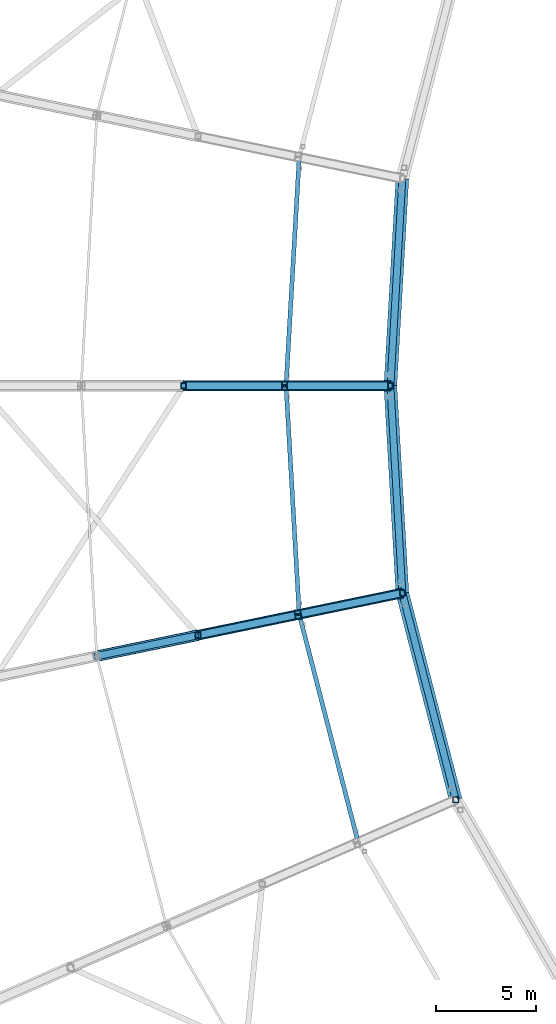
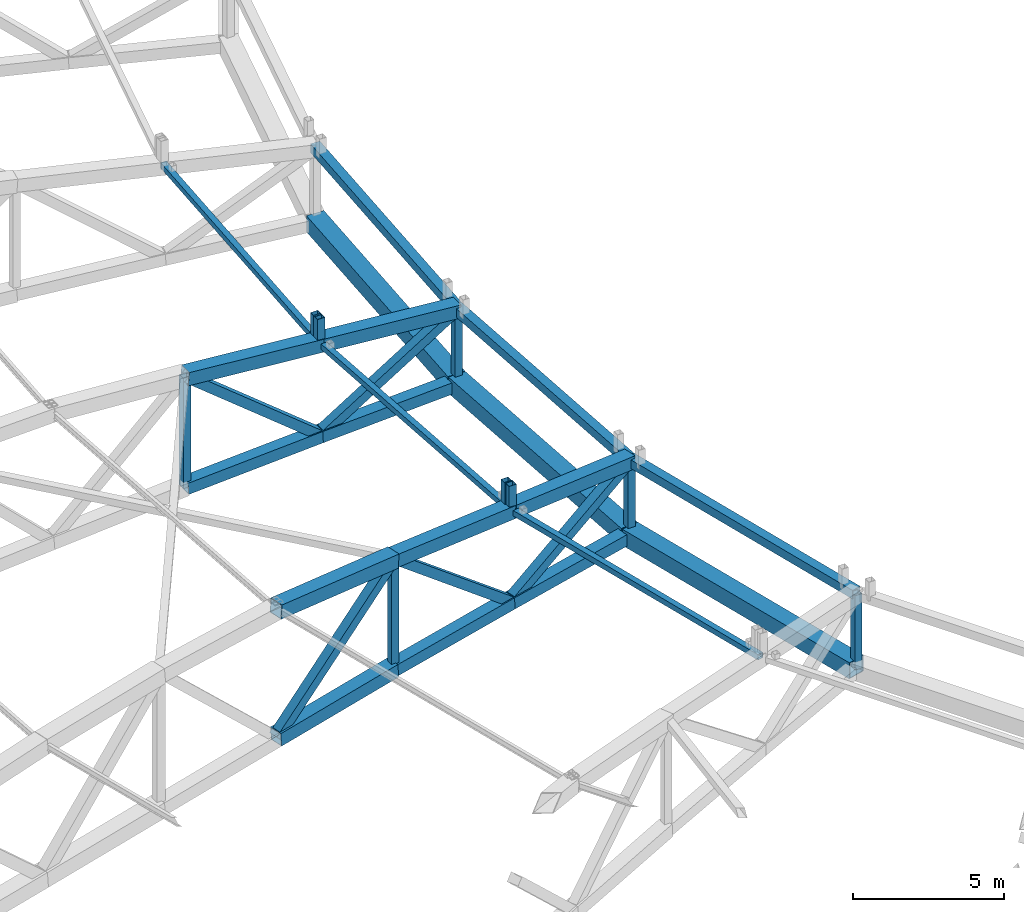
# One storey, part 40 of 162: 33 members.
"""IFC4 building model written with IfcOpenShell, lengths in metres."""

from ifc_helpers import new_model, si_unit, direction, frame, origin, origin_2d, place, context, subcontext, project, spatial, hollow_rectangle, extrude, material, material_profile, profile_set, type_object, element, save


model = new_model("IFC4")

# Units and contexts
model_context = context("Model", 3, precision=1e-05, world=origin(), true_north=direction((0.0, 1.0)))
body_context = subcontext(model_context, "Body", "Model", "MODEL_VIEW")
ifc_project = project(units=[si_unit("LENGTHUNIT", "METRE"), si_unit("AREAUNIT", "SQUARE_METRE"), si_unit("VOLUMEUNIT", "CUBIC_METRE"), si_unit("PLANEANGLEUNIT", "RADIAN"), si_unit("MASSUNIT", "GRAM", prefix="KILO")], contexts=[model_context])

# Site, building, storey
site_placement = place(None, origin())
site = spatial("IfcSite", under=ifc_project, at=site_placement, CompositionType="ELEMENT")
building_placement = place(site_placement, origin())
building = spatial("IfcBuilding", under=site, at=building_placement, Name="Kazemori Nagisa Stadium", CompositionType="ELEMENT")
storey_placement = place(building_placement, frame((0.0, 0.0, 36.719970703125)))
storey = spatial("IfcBuildingStorey", under=building, at=storey_placement, Name="RF", CompositionType="ELEMENT", Elevation=36.719970703125)

# Members
ifc_material = material(Name="Steel STKR490", Category="steel")
ifc_material_profile_1 = material_profile(ifc_material, hollow_rectangle(XDim=0.280029296875, YDim=0.280029296875, WallThickness=0.010009765625, at=origin_2d()), Name="SHS-280x280x10")
ifc_profile_set_1 = profile_set([ifc_material_profile_1], Name="Steel STKR490")
member_type_1 = type_object("IfcMemberType", Name="Member_ST-SHS280", PredefinedType="STUD", material=ifc_profile_set_1)
member_1_placement = place(storey_placement, frame((66.877197265625, 102.095458984375, 6.030029296875), z_axis=(0.0, 0.0, 1.0), x_axis=(1.0, 0.0, 0.0)))
element("IfcMember", 1, at=member_1_placement, inside=storey, type_object=member_type_1, Name="Canopy bearing stool B14-inner-3", PredefinedType="STUD", context=body_context, shape_type="SweptSolid", body=[
    extrude(hollow_rectangle(XDim=0.280029296875, YDim=0.280029296875, WallThickness=0.010009765625, at=origin_2d()), origin(), (0.0, 0.0, 1.0), 1.114990234375),
])
member_2_placement = place(storey_placement, frame((67.523681640625, 90.638427734375, 6.013916015625), z_axis=(0.0, 0.0, 1.0), x_axis=(1.0, 0.0, 0.0)))
element("IfcMember", 2, at=member_2_placement, inside=storey, type_object=member_type_1, Name="Canopy bearing stool B15-inner-3", PredefinedType="STUD", context=body_context, shape_type="SweptSolid", body=[
    extrude(hollow_rectangle(XDim=0.280029296875, YDim=0.280029296875, WallThickness=0.010009765625, at=origin_2d()), origin(), (0.0, 0.0, 1.0), 1.131103515625),
])
member_3_placement = place(storey_placement, frame((66.877197265625, 101.904541015625, 6.030029296875), z_axis=(0.0, 0.0, 1.0), x_axis=(1.0, 0.0, 0.0)))
element("IfcMember", 3, at=member_3_placement, inside=storey, type_object=member_type_1, Name="Canopy bearing stool B15-inner-4", PredefinedType="STUD", context=body_context, shape_type="SweptSolid", body=[
    extrude(hollow_rectangle(XDim=0.280029296875, YDim=0.280029296875, WallThickness=0.010009765625, at=origin_2d()), origin(), (0.0, 0.0, 1.0), 1.114990234375),
])
member_4_placement = place(storey_placement, frame((67.558837890625, 90.447021484375, 6.013916015625), z_axis=(0.0, 0.0, 1.0), x_axis=(1.0, 0.0, 0.0)))
element("IfcMember", 4, at=member_4_placement, inside=storey, type_object=member_type_1, Name="Canopy bearing stool B16-inner-4", PredefinedType="STUD", context=body_context, shape_type="SweptSolid", body=[
    extrude(hollow_rectangle(XDim=0.280029296875, YDim=0.280029296875, WallThickness=0.010009765625, at=origin_2d()), origin(), (0.0, 0.0, 1.0), 1.113037109375),
])
ifc_material_profile_2 = material_profile(ifc_material, hollow_rectangle(XDim=0.360107421875, YDim=0.360107421875, WallThickness=0.013916015625, at=origin_2d()), Name="SHS-360x360x14")
ifc_profile_set_2 = profile_set([ifc_material_profile_2], Name="Steel STKR490")
member_type_2 = type_object("IfcMemberType", Name="Member_TB-SHS360", PredefinedType="BRACE", material=ifc_profile_set_2)
member_5_placement = place(storey_placement, frame((61.820068359375, 102.0, 6.47998046875), z_axis=(0.777456794474, 0.0, -0.628936350298), x_axis=(0.0, 1.0, 0.0)))
element("IfcMember", 5, at=member_5_placement, inside=storey, type_object=member_type_2, Name="Roof space truss diagonal RT-15-8", PredefinedType="BRACE", context=body_context, shape_type="SweptSolid", body=[
    extrude(hollow_rectangle(XDim=0.360107421875, YDim=0.360107421875, WallThickness=0.013916015625, at=origin_2d()), origin(), (0.0, 0.0, 1.0), 6.598388671875),
])
member_6_placement = place(storey_placement, frame((66.949951171875, 102.0, 2.330078125), z_axis=(0.849142017876, 0.0, 0.528164589383), x_axis=(0.0, 1.0, 0.0)))
element("IfcMember", 6, at=member_6_placement, inside=storey, type_object=member_type_2, Name="Roof space truss diagonal RT-15-9", PredefinedType="BRACE", context=body_context, shape_type="SweptSolid", body=[
    extrude(hollow_rectangle(XDim=0.360107421875, YDim=0.360107421875, WallThickness=0.013916015625, at=origin_2d()), origin(), (0.0, 0.0, 1.0), 6.1533203125),
])
member_7_placement = place(storey_placement, frame((57.47119140625, 88.46044921875, 1.652099609375), z_axis=(0.717435435757, 0.148220468066, 0.680673995659), x_axis=(-0.20232488246, 0.979318457876, 0.0)))
element("IfcMember", 7, at=member_7_placement, inside=storey, type_object=member_type_2, Name="Roof space truss diagonal RT-16-7", PredefinedType="BRACE", context=body_context, shape_type="SweptSolid", body=[
    extrude(hollow_rectangle(XDim=0.360107421875, YDim=0.360107421875, WallThickness=0.013916015625, at=origin_2d()), origin(), (0.0, 0.0, 1.0), 7.066162109375),
])
member_8_placement = place(storey_placement, frame((62.540771484375, 89.5078125, 6.4619140625), z_axis=(0.764535654953, 0.157988080684, -0.624919993813), x_axis=(-0.202370113198, 0.979309112224, 0.0)))
element("IfcMember", 8, at=member_8_placement, inside=storey, type_object=member_type_2, Name="Roof space truss diagonal RT-16-8", PredefinedType="BRACE", context=body_context, shape_type="SweptSolid", body=[
    extrude(hollow_rectangle(XDim=0.360107421875, YDim=0.360107421875, WallThickness=0.013916015625, at=origin_2d()), origin(), (0.0, 0.0, 1.0), 6.630859375),
])
member_9_placement = place(storey_placement, frame((67.6103515625, 90.555419921875, 2.318115234375), z_axis=(0.83387920966, 0.1723037565, 0.524363308396), x_axis=(-0.202354481803, 0.979312342256, 0.0)))
element("IfcMember", 9, at=member_9_placement, inside=storey, type_object=member_type_2, Name="Roof space truss diagonal RT-16-9", PredefinedType="BRACE", context=body_context, shape_type="SweptSolid", body=[
    extrude(hollow_rectangle(XDim=0.360107421875, YDim=0.360107421875, WallThickness=0.013916015625, at=origin_2d()), origin(), (0.0, 0.0, 1.0), 6.19189453125),
])
ifc_material_profile_3 = material_profile(ifc_material, hollow_rectangle(XDim=0.35009765625, YDim=0.35009765625, WallThickness=0.01611328125, at=origin_2d()), Name="SHS-350x350x16")
ifc_profile_set_3 = profile_set([ifc_material_profile_3], Name="Steel STKR490")
member_type_3 = type_object("IfcMemberType", Name="Member_TC-SHS350", PredefinedType="CHORD", material=ifc_profile_set_3)
for number, where, z_axis, x_axis, name in (
    (10, (72.773681640625, 112.377685546875, 5.56494140625), (-0.057588821234, -0.998339324711, 0.001456161059), (0.998340383154, -0.05758888229, 0.0), "Roof tension ring beam upper TR-14"),
    (11, (72.175048828125, 102.0, 5.580078125), (0.057588821234, -0.998339324711, -0.001456161059), (0.998340383154, 0.05758888229, 0.0), "Roof tension ring beam upper TR-15"),
):
    element("IfcMember", number, at=place(storey_placement, frame(where, z_axis=z_axis, x_axis=x_axis)), inside=storey, type_object=member_type_3, Name=name, PredefinedType="CHORD", context=body_context, shape_type="SweptSolid", body=[
        extrude(hollow_rectangle(XDim=0.35009765625, YDim=0.35009765625, WallThickness=0.01611328125, at=origin_2d()), origin(), (0.0, 0.0, 1.0), 10.39501953125),
    ])
member_10_placement = place(storey_placement, frame((72.773681640625, 91.622314453125, 5.56494140625), z_axis=(0.249967058277, -0.968245619322, -0.004109798181), x_axis=(0.968253796473, 0.24996916933, 0.0)))
element("IfcMember", 12, at=member_10_placement, inside=storey, type_object=member_type_3, Name="Roof tension ring beam upper TR-16", PredefinedType="CHORD", context=body_context, shape_type="SweptSolid", body=[
    extrude(hollow_rectangle(XDim=0.35009765625, YDim=0.35009765625, WallThickness=0.01611328125, at=origin_2d()), origin(), (0.0, 0.0, 1.0), 10.69287109375),
])
ifc_material_profile_4 = material_profile(ifc_material, hollow_rectangle(XDim=0.4599609375, YDim=0.4599609375, WallThickness=0.01611328125, at=origin_2d()), Name="SHS-460x460x16")
ifc_profile_set_4 = profile_set([ifc_material_profile_4], Name="Steel STKR490")
member_type_4 = type_object("IfcMemberType", Name="Member_TC-SHS460", PredefinedType="CHORD", material=ifc_profile_set_4)
member_11_placement = place(storey_placement, frame((61.820068359375, 102.0, 2.0400390625), z_axis=(0.998405485764, 0.0, 0.05644896807), x_axis=(0.0, 1.0, 0.0)))
element("IfcMember", 13, at=member_11_placement, inside=storey, type_object=member_type_4, Name="Roof space truss bottom chord RT-15-8", PredefinedType="CHORD", context=body_context, shape_type="SweptSolid", body=[
    extrude(hollow_rectangle(XDim=0.4599609375, YDim=0.4599609375, WallThickness=0.01611328125, at=origin_2d()), origin(), (0.0, 0.0, 1.0), 5.13818359375),
])
member_12_placement = place(storey_placement, frame((66.949951171875, 102.0, 2.330078125), z_axis=(0.998857341837, 0.0, 0.047791324084), x_axis=(0.0, 1.0, 0.0)))
element("IfcMember", 14, at=member_12_placement, inside=storey, type_object=member_type_4, Name="Roof space truss bottom chord RT-15-9", PredefinedType="CHORD", context=body_context, shape_type="SweptSolid", body=[
    extrude(hollow_rectangle(XDim=0.4599609375, YDim=0.4599609375, WallThickness=0.01611328125, at=origin_2d()), origin(), (0.0, 0.0, 1.0), 5.23095703125),
])
member_13_placement = place(storey_placement, frame((62.540771484375, 89.5078125, 2.030029296875), z_axis=(0.977796170466, 0.202057470141, 0.055564627072), x_axis=(-0.202370113198, 0.979309112224, 0.0)))
element("IfcMember", 15, at=member_13_placement, inside=storey, type_object=member_type_4, Name="Roof space truss bottom chord RT-16-8", PredefinedType="CHORD", context=body_context, shape_type="SweptSolid", body=[
    extrude(hollow_rectangle(XDim=0.4599609375, YDim=0.4599609375, WallThickness=0.01611328125, at=origin_2d()), origin(), (0.0, 0.0, 1.0), 5.184814453125),
])
member_14_placement = place(storey_placement, frame((67.6103515625, 90.555419921875, 2.318115234375), z_axis=(0.978232482615, 0.202131351318, 0.04694812851), x_axis=(-0.202354481803, 0.979312342256, 0.0)))
element("IfcMember", 16, at=member_14_placement, inside=storey, type_object=member_type_4, Name="Roof space truss bottom chord RT-16-9", PredefinedType="CHORD", context=body_context, shape_type="SweptSolid", body=[
    extrude(hollow_rectangle(XDim=0.4599609375, YDim=0.4599609375, WallThickness=0.01611328125, at=origin_2d()), origin(), (0.0, 0.0, 1.0), 5.2783203125),
])
ifc_material_profile_5 = material_profile(ifc_material, hollow_rectangle(XDim=0.52001953125, YDim=0.52001953125, WallThickness=0.01904296875, at=origin_2d()), Name="SHS-520x520x19")
ifc_profile_set_5 = profile_set([ifc_material_profile_5], Name="Steel STKR490")
member_type_5 = type_object("IfcMemberType", Name="Member_TC-SHS520", PredefinedType="CHORD", material=ifc_profile_set_5)
member_15_placement = place(storey_placement, frame((61.820068359375, 102.0, 6.47998046875), z_axis=(0.996175375553, 0.0, -0.08737631911), x_axis=(0.0, 1.0, 0.0)))
element("IfcMember", 17, at=member_15_placement, inside=storey, type_object=member_type_5, Name="Roof space truss top chord RT-15-8", PredefinedType="CHORD", context=body_context, shape_type="SweptSolid", body=[
    extrude(hollow_rectangle(XDim=0.52001953125, YDim=0.52001953125, WallThickness=0.01904296875, at=origin_2d()), origin(), (0.0, 0.0, 1.0), 5.149658203125),
])
member_16_placement = place(storey_placement, frame((66.949951171875, 102.0, 6.030029296875), z_axis=(0.996312731742, 0.0, -0.08579592396), x_axis=(0.0, 1.0, 0.0)))
element("IfcMember", 18, at=member_16_placement, inside=storey, type_object=member_type_5, Name="Roof space truss top chord RT-15-9", PredefinedType="CHORD", context=body_context, shape_type="SweptSolid", body=[
    extrude(hollow_rectangle(XDim=0.52001953125, YDim=0.52001953125, WallThickness=0.01904296875, at=origin_2d()), origin(), (0.0, 0.0, 1.0), 5.244384765625),
])
member_17_placement = place(storey_placement, frame((57.47119140625, 88.46044921875, 1.652099609375), z_axis=(0.976718968745, 0.20178783414, 0.072812952739), x_axis=(-0.20232488246, 0.979318457876, 0.0)))
element("IfcMember", 19, at=member_17_placement, inside=storey, type_object=member_type_5, Name="Roof space truss bottom chord RT-16-7", PredefinedType="CHORD", context=body_context, shape_type="SweptSolid", body=[
    extrude(hollow_rectangle(XDim=0.52001953125, YDim=0.52001953125, WallThickness=0.01904296875, at=origin_2d()), origin(), (0.0, 0.0, 1.0), 5.1904296875),
])
member_18_placement = place(storey_placement, frame((62.540771484375, 89.5078125, 6.4619140625), z_axis=(0.975662357679, 0.201616526694, -0.086219139241), x_axis=(-0.202370113198, 0.979309112224, 0.0)))
element("IfcMember", 20, at=member_18_placement, inside=storey, type_object=member_type_5, Name="Roof space truss top chord RT-16-8", PredefinedType="CHORD", context=body_context, shape_type="SweptSolid", body=[
    extrude(hollow_rectangle(XDim=0.52001953125, YDim=0.52001953125, WallThickness=0.01904296875, at=origin_2d()), origin(), (0.0, 0.0, 1.0), 5.196044921875),
])
member_19_placement = place(storey_placement, frame((67.6103515625, 90.555419921875, 6.013916015625), z_axis=(0.975780808756, 0.20162476402, -0.084848499092), x_axis=(-0.202354481803, 0.979312342256, 0.0)))
element("IfcMember", 21, at=member_19_placement, inside=storey, type_object=member_type_5, Name="Roof space truss top chord RT-16-9", PredefinedType="CHORD", context=body_context, shape_type="SweptSolid", body=[
    extrude(hollow_rectangle(XDim=0.52001953125, YDim=0.52001953125, WallThickness=0.01904296875, at=origin_2d()), origin(), (0.0, 0.0, 1.0), 5.29150390625),
])
ifc_material_profile_6 = material_profile(ifc_material, hollow_rectangle(XDim=0.56005859375, YDim=0.56005859375, WallThickness=0.02001953125, at=origin_2d()), Name="SHS-560x560x20")
ifc_profile_set_6 = profile_set([ifc_material_profile_6], Name="Steel STKR490")
member_type_6 = type_object("IfcMemberType", Name="Member_TC-SHS560", PredefinedType="CHORD", material=ifc_profile_set_6)
member_20_placement = place(storey_placement, frame((57.47119140625, 88.46044921875, 6.81201171875), z_axis=(0.977086481619, 0.201863761432, -0.067476138437), x_axis=(-0.20232488246, 0.979318457876, 0.0)))
element("IfcMember", 22, at=member_20_placement, inside=storey, type_object=member_type_6, Name="Roof space truss top chord RT-16-7", PredefinedType="CHORD", context=body_context, shape_type="SweptSolid", body=[
    extrude(hollow_rectangle(XDim=0.56005859375, YDim=0.56005859375, WallThickness=0.02001953125, at=origin_2d()), origin(), (0.0, 0.0, 1.0), 5.1884765625),
])
ifc_material_profile_7 = material_profile(ifc_material, hollow_rectangle(XDim=0.64990234375, YDim=0.64990234375, WallThickness=0.02490234375, at=origin_2d()), Name="SHS-650x650x25")
ifc_profile_set_7 = profile_set([ifc_material_profile_7], Name="Steel STKR490")
member_type_7 = type_object("IfcMemberType", Name="Member_TC-SHS650", PredefinedType="CHORD", material=ifc_profile_set_7)
for number, where, z_axis, x_axis, name in (
    (23, (72.773681640625, 112.377685546875, 2.56591796875), (-0.057588828858, -0.998339456878, 0.001362215365), (0.998340383154, -0.05758888229, 0.0), "Roof tension ring beam lower TR-14"),
    (24, (72.175048828125, 102.0, 2.580078125), (0.057588828858, -0.998339456878, -0.001362215365), (0.998340383154, 0.05758888229, 0.0), "Roof tension ring beam lower TR-15"),
):
    element("IfcMember", number, at=place(storey_placement, frame(where, z_axis=z_axis, x_axis=x_axis)), inside=storey, type_object=member_type_7, Name=name, PredefinedType="CHORD", context=body_context, shape_type="SweptSolid", body=[
        extrude(hollow_rectangle(XDim=0.64990234375, YDim=0.64990234375, WallThickness=0.02490234375, at=origin_2d()), origin(), (0.0, 0.0, 1.0), 10.39501953125),
    ])
member_21_placement = place(storey_placement, frame((72.773681640625, 91.622314453125, 2.56591796875), z_axis=(0.249967438197, -0.968247090941, -0.003721656232), x_axis=(0.968253796473, 0.24996916933, 0.0)))
element("IfcMember", 25, at=member_21_placement, inside=storey, type_object=member_type_7, Name="Roof tension ring beam lower TR-16", PredefinedType="CHORD", context=body_context, shape_type="SweptSolid", body=[
    extrude(hollow_rectangle(XDim=0.64990234375, YDim=0.64990234375, WallThickness=0.02490234375, at=origin_2d()), origin(), (0.0, 0.0, 1.0), 10.69287109375),
])
ifc_material_profile_8 = material_profile(ifc_material, hollow_rectangle(XDim=0.219970703125, YDim=0.219970703125, WallThickness=0.009033203125, at=origin_2d()), Name="SHS-220x220x9")
ifc_profile_set_8 = profile_set([ifc_material_profile_8], Name="Steel STKR490")
member_type_8 = type_object("IfcMemberType", Name="Member_TP-SHS220", PredefinedType="PURLIN", material=ifc_profile_set_8)
for number, where, z_axis, x_axis, name in (
    (26, (67.6103515625, 113.444580078125, 6.013916015625), (-0.057608315954, -0.998338272441, 0.001405600315), (0.998339258657, -0.057608372862, 0.0), "Roof purlin TP-SHS220 B14-P8"),
    (27, (66.949951171875, 102.0, 6.030029296875), (0.057608315954, -0.998338272441, -0.001405600315), (0.998339258657, 0.057608372862, 0.0), "Roof purlin TP-SHS220 B15-P8"),
):
    element("IfcMember", number, at=place(storey_placement, frame(where, z_axis=z_axis, x_axis=x_axis)), inside=storey, type_object=member_type_8, Name=name, PredefinedType="PURLIN", context=body_context, shape_type="SweptSolid", body=[
        extrude(hollow_rectangle(XDim=0.219970703125, YDim=0.219970703125, WallThickness=0.009033203125, at=origin_2d()), origin(), (0.0, 0.0, 1.0), 11.463623046875),
    ])
member_22_placement = place(storey_placement, frame((67.6103515625, 90.555419921875, 6.013916015625), z_axis=(0.24995548315, -0.968248826348, -0.004057920541), x_axis=(0.968256798387, 0.249957541149, 0.0)))
element("IfcMember", 28, at=member_22_placement, inside=storey, type_object=member_type_8, Name="Roof purlin TP-SHS220 B16-P8", PredefinedType="PURLIN", context=body_context, shape_type="SweptSolid", body=[
    extrude(hollow_rectangle(XDim=0.219970703125, YDim=0.219970703125, WallThickness=0.009033203125, at=origin_2d()), origin(), (0.0, 0.0, 1.0), 11.792236328125),
])
ifc_material_profile_9 = material_profile(ifc_material, hollow_rectangle(XDim=0.280029296875, YDim=0.280029296875, WallThickness=0.010009765625, at=origin_2d()), Name="SHS-280x280x10")
ifc_profile_set_9 = profile_set([ifc_material_profile_9], Name="Steel STKR490")
member_type_9 = type_object("IfcMemberType", Name="Member_TS-SHS280", PredefinedType="STRUT", material=ifc_profile_set_9)
member_23_placement = place(storey_placement, frame((61.820068359375, 102.0, 2.0400390625), z_axis=(0.0, 0.0, 1.0), x_axis=(1.0, 0.0, 0.0)))
element("IfcMember", 29, at=member_23_placement, inside=storey, type_object=member_type_9, Name="Roof space truss strut RT-15-8", PredefinedType="STRUT", context=body_context, shape_type="SweptSolid", body=[
    extrude(hollow_rectangle(XDim=0.280029296875, YDim=0.280029296875, WallThickness=0.010009765625, at=origin_2d()), origin(), (0.0, 0.0, 1.0), 4.43994140625),
])
member_24_placement = place(storey_placement, frame((72.175048828125, 102.0, 2.580078125), z_axis=(0.0, 0.0, 1.0), x_axis=(1.0, 0.0, 0.0)))
element("IfcMember", 30, at=member_24_placement, inside=storey, type_object=member_type_9, Name="Roof space truss strut RT-15-10", PredefinedType="STRUT", context=body_context, shape_type="SweptSolid", body=[
    extrude(hollow_rectangle(XDim=0.280029296875, YDim=0.280029296875, WallThickness=0.010009765625, at=origin_2d()), origin(), (0.0, 0.0, 1.0), 3.0),
])
member_25_placement = place(storey_placement, frame((62.540771484375, 89.5078125, 2.030029296875), z_axis=(0.0, 0.0, 1.0), x_axis=(1.0, 0.0, 0.0)))
element("IfcMember", 31, at=member_25_placement, inside=storey, type_object=member_type_9, Name="Roof space truss strut RT-16-8", PredefinedType="STRUT", context=body_context, shape_type="SweptSolid", body=[
    extrude(hollow_rectangle(XDim=0.280029296875, YDim=0.280029296875, WallThickness=0.010009765625, at=origin_2d()), origin(), (0.0, 0.0, 1.0), 4.431884765625),
])
member_26_placement = place(storey_placement, frame((72.773681640625, 91.622314453125, 2.56591796875), z_axis=(0.0, 0.0, 1.0), x_axis=(1.0, 0.0, 0.0)))
element("IfcMember", 32, at=member_26_placement, inside=storey, type_object=member_type_9, Name="Roof space truss strut RT-16-10", PredefinedType="STRUT", context=body_context, shape_type="SweptSolid", body=[
    extrude(hollow_rectangle(XDim=0.280029296875, YDim=0.280029296875, WallThickness=0.010009765625, at=origin_2d()), origin(), (0.0, 0.0, 1.0), 2.9990234375),
])
member_27_placement = place(storey_placement, frame((75.446533203125, 81.26904296875, 2.526123046875), z_axis=(0.0, 0.0, 1.0), x_axis=(1.0, 0.0, 0.0)))
element("IfcMember", 33, at=member_27_placement, inside=storey, type_object=member_type_9, Name="Roof space truss strut RT-17-10", PredefinedType="STRUT", context=body_context, shape_type="SweptSolid", body=[
    extrude(hollow_rectangle(XDim=0.280029296875, YDim=0.280029296875, WallThickness=0.010009765625, at=origin_2d()), origin(), (0.0, 0.0, 1.0), 2.994873046875),
])

save(model, "model.ifc")
